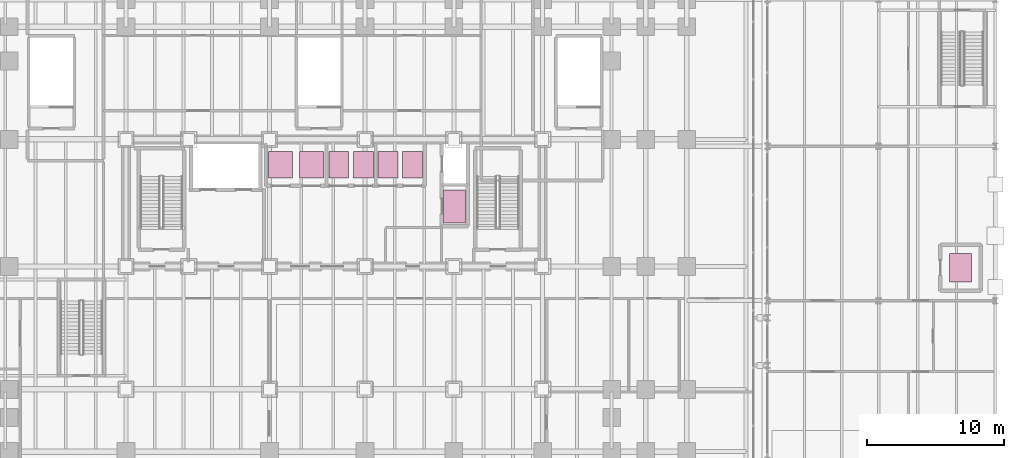
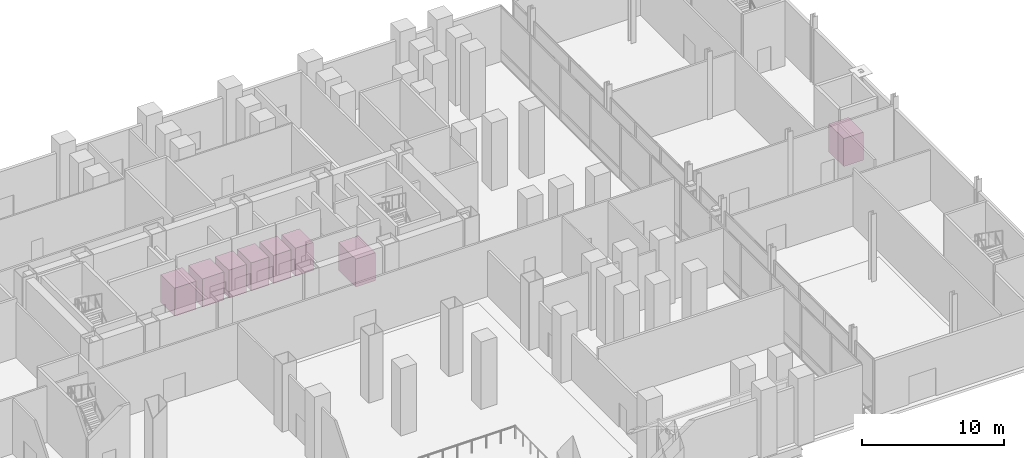
# One storey, part 36 of 36: 8 transport elements.
"""IFC4 building model written with IfcOpenShell, lengths in metres."""

from ifc_helpers import new_model, si_unit, direction, frame, origin, origin_2d, place, context, subcontext, project, spatial, rectangle, extrude, material, type_object, element, save


model = new_model("IFC4")

# Units and contexts
model_context = context("Model", 3, precision=1e-05, world=origin(), true_north=direction((0.0, 1.0)))
body_context = subcontext(model_context, "Body", "Model", "MODEL_VIEW")
ifc_project = project(units=[si_unit("LENGTHUNIT", "METRE"), si_unit("AREAUNIT", "SQUARE_METRE"), si_unit("VOLUMEUNIT", "CUBIC_METRE"), si_unit("PLANEANGLEUNIT", "RADIAN"), si_unit("MASSUNIT", "GRAM", prefix="KILO")], contexts=[model_context])

# Site, building, storey
site_placement = place(None, origin())
site = spatial("IfcSite", under=ifc_project, at=site_placement, CompositionType="ELEMENT")
building_placement = place(site_placement, origin())
building = spatial("IfcBuilding", under=site, at=building_placement, Name="Noeulbin Bourse Tower", CompositionType="ELEMENT")
storey_placement = place(building_placement, origin())
storey = spatial("IfcBuildingStorey", under=building, at=storey_placement, Name="L01", CompositionType="ELEMENT", Elevation=0.0)

# Transport elements
ifc_material = material(Name="Stainless Steel 316 Elevator Car", Category="steel")
transport_element_type_1 = type_object("IfcTransportElementType", Name="LFT-EL-01", PredefinedType="ELEVATOR", material=ifc_material)
transport_element_1_placement = place(storey_placement, frame((37.550048828125, 33.39990234375, 0.0), z_axis=(0.0, 0.0, 1.0), x_axis=(1.0, 0.0, 0.0)))
element("IfcTransportElement", 1, at=transport_element_1_placement, inside=storey, type_object=transport_element_type_1, Name="Passenger Elevator EL-01", PredefinedType="ELEVATOR", context=body_context, shape_type="SweptSolid", body=[
    extrude(rectangle(XDim=1.60009765625, YDim=2.39990234375, at=origin_2d()), origin(), (0.0, 0.0, 1.0), 2.39990234375),
])
transport_element_type_2 = type_object("IfcTransportElementType", Name="LFT-ML-01", PredefinedType="ELEVATOR", material=ifc_material)
transport_element_2_placement = place(storey_placement, frame((74.60009765625, 28.89990234375, 0.0), z_axis=(0.0, 0.0, 1.0), x_axis=(1.0, 0.0, 0.0)))
element("IfcTransportElement", 2, at=transport_element_2_placement, inside=storey, type_object=transport_element_type_2, Name="Passenger Elevator ML-1", PredefinedType="ELEVATOR", context=body_context, shape_type="SweptSolid", body=[
    extrude(rectangle(XDim=1.60009765625, YDim=2.10009765625, at=origin_2d()), origin(), (0.0, 0.0, 1.0), 2.39990234375),
])
transport_element_type_3 = type_object("IfcTransportElementType", Name="LFT-PL-H1", PredefinedType="ELEVATOR", material=ifc_material)
transport_element_3_placement = place(storey_placement, frame((32.679931640625, 36.449951171875, 0.0), z_axis=(0.0, 0.0, 1.0), x_axis=(1.0, 0.0, 0.0)))
element("IfcTransportElement", 3, at=transport_element_3_placement, inside=storey, type_object=transport_element_type_3, Name="Passenger Elevator PL-H1", PredefinedType="ELEVATOR", context=body_context, shape_type="SweptSolid", body=[
    extrude(rectangle(XDim=1.449951171875, YDim=1.949951171875, at=origin_2d()), origin(), (0.0, 0.0, 1.0), 2.39990234375),
])
transport_element_type_4 = type_object("IfcTransportElementType", Name="LFT-PL-H2", PredefinedType="ELEVATOR", material=ifc_material)
transport_element_4_placement = place(storey_placement, frame((34.47998046875, 36.449951171875, 0.0), z_axis=(0.0, 0.0, 1.0), x_axis=(1.0, 0.0, 0.0)))
element("IfcTransportElement", 4, at=transport_element_4_placement, inside=storey, type_object=transport_element_type_4, Name="Passenger Elevator PL-H2", PredefinedType="ELEVATOR", context=body_context, shape_type="SweptSolid", body=[
    extrude(rectangle(XDim=1.449951171875, YDim=1.949951171875, at=origin_2d()), origin(), (0.0, 0.0, 1.0), 2.39990234375),
])
transport_element_type_5 = type_object("IfcTransportElementType", Name="LFT-PL-L1", PredefinedType="ELEVATOR", material=ifc_material)
transport_element_5_placement = place(storey_placement, frame((24.820068359375, 36.449951171875, 0.0), z_axis=(0.0, 0.0, 1.0), x_axis=(1.0, 0.0, 0.0)))
element("IfcTransportElement", 5, at=transport_element_5_placement, inside=storey, type_object=transport_element_type_5, Name="Passenger Elevator PL-L1", PredefinedType="ELEVATOR", context=body_context, shape_type="SweptSolid", body=[
    extrude(rectangle(XDim=1.75, YDim=1.949951171875, at=origin_2d()), origin(), (0.0, 0.0, 1.0), 2.39990234375),
])
transport_element_type_6 = type_object("IfcTransportElementType", Name="LFT-PL-L2", PredefinedType="ELEVATOR", material=ifc_material)
transport_element_6_placement = place(storey_placement, frame((27.080078125, 36.449951171875, 0.0), z_axis=(0.0, 0.0, 1.0), x_axis=(1.0, 0.0, 0.0)))
element("IfcTransportElement", 6, at=transport_element_6_placement, inside=storey, type_object=transport_element_type_6, Name="Passenger Elevator PL-L2", PredefinedType="ELEVATOR", context=body_context, shape_type="SweptSolid", body=[
    extrude(rectangle(XDim=1.75, YDim=1.949951171875, at=origin_2d()), origin(), (0.0, 0.0, 1.0), 2.39990234375),
])
transport_element_type_7 = type_object("IfcTransportElementType", Name="LFT-PL-M1", PredefinedType="ELEVATOR", material=ifc_material)
transport_element_7_placement = place(storey_placement, frame((29.080078125, 36.449951171875, 0.0), z_axis=(0.0, 0.0, 1.0), x_axis=(1.0, 0.0, 0.0)))
element("IfcTransportElement", 7, at=transport_element_7_placement, inside=storey, type_object=transport_element_type_7, Name="Passenger Elevator PL-M1", PredefinedType="ELEVATOR", context=body_context, shape_type="SweptSolid", body=[
    extrude(rectangle(XDim=1.449951171875, YDim=1.949951171875, at=origin_2d()), origin(), (0.0, 0.0, 1.0), 2.39990234375),
])
transport_element_type_8 = type_object("IfcTransportElementType", Name="LFT-PL-M2", PredefinedType="ELEVATOR", material=ifc_material)
transport_element_8_placement = place(storey_placement, frame((30.8798828125, 36.449951171875, 0.0), z_axis=(0.0, 0.0, 1.0), x_axis=(1.0, 0.0, 0.0)))
element("IfcTransportElement", 8, at=transport_element_8_placement, inside=storey, type_object=transport_element_type_8, Name="Passenger Elevator PL-M2", PredefinedType="ELEVATOR", context=body_context, shape_type="SweptSolid", body=[
    extrude(rectangle(XDim=1.449951171875, YDim=1.949951171875, at=origin_2d()), origin(), (0.0, 0.0, 1.0), 2.39990234375),
])

save(model, "model.ifc")
